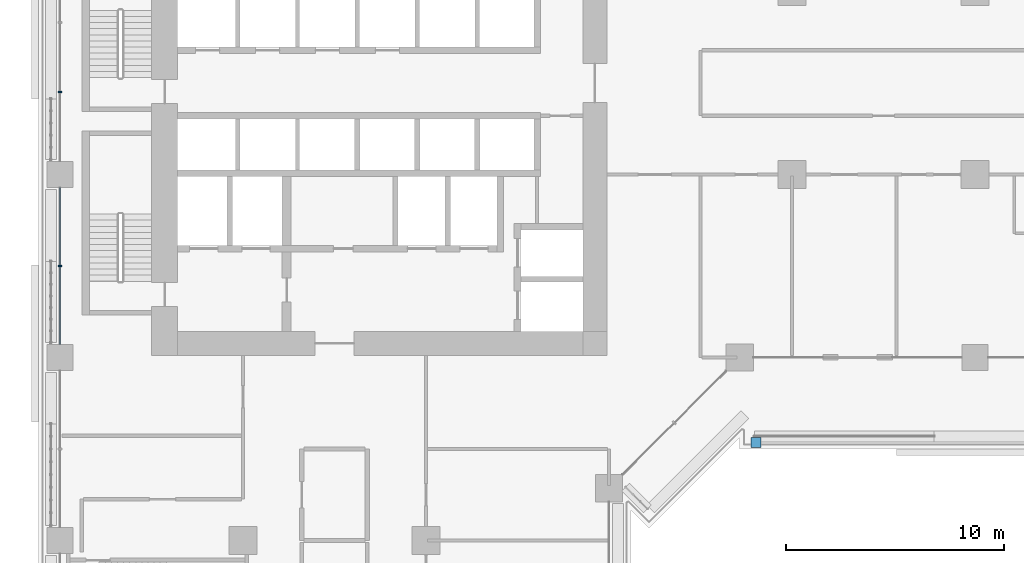
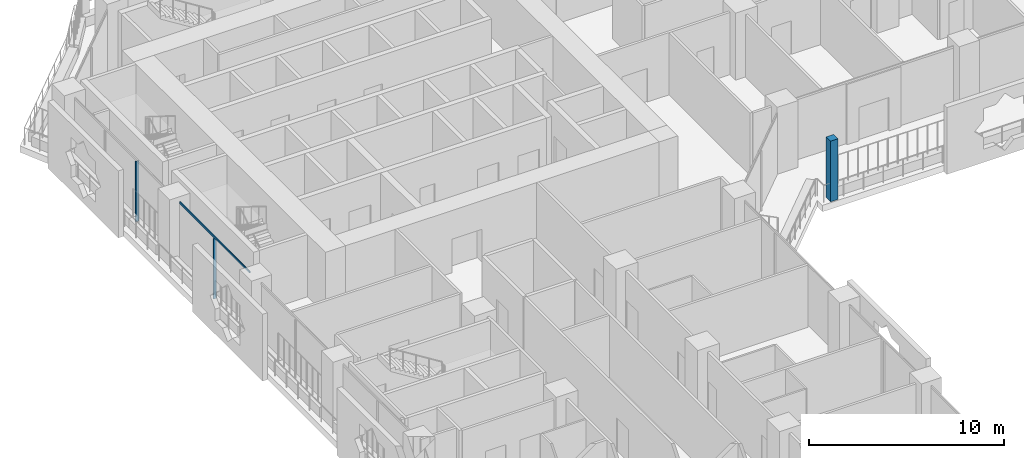
# One storey, part 5 of 28: 4 members, 2 elements without a shape of their own.
"""IFC4 building model written with IfcOpenShell, lengths in metres."""

from ifc_helpers import new_model, si_unit, direction, frame, origin, origin_2d, place, context, subcontext, project, spatial, rectangle, extrude, material, layer, layer_set, material_profile, profile_set, type_object, element, aggregate, save


model = new_model("IFC4")

# Units and contexts
model_context = context("Model", 3, precision=1e-05, world=origin(), true_north=direction((0.0, 1.0)))
body_context = subcontext(model_context, "Body", "Model", "MODEL_VIEW")
ifc_project = project(units=[si_unit("LENGTHUNIT", "METRE"), si_unit("AREAUNIT", "SQUARE_METRE"), si_unit("VOLUMEUNIT", "CUBIC_METRE"), si_unit("PLANEANGLEUNIT", "RADIAN"), si_unit("MASSUNIT", "GRAM", prefix="KILO")], contexts=[model_context])

# Site, building, storey
site_placement = place(None, origin())
site = spatial("IfcSite", under=ifc_project, at=site_placement, CompositionType="ELEMENT")
building_placement = place(site_placement, origin())
building = spatial("IfcBuilding", under=site, at=building_placement, Name="Kawkab Arch Medical Tower", CompositionType="ELEMENT")
storey_placement = place(building_placement, frame((0.0, 0.0, 81.199951171875)))
storey = spatial("IfcBuildingStorey", under=building, at=storey_placement, Name="L18", CompositionType="ELEMENT", Elevation=81.199951171875)

# Curtain wall, members
ifc_material_1 = material(Name="Bronze anodised aluminium curtain wall frame", Category="aluminium")
ifc_layer_1 = layer(ifc_material_1, 0.159912109375)
ifc_layer_set_1 = layer_set([ifc_layer_1], Name="Bronze anodised aluminium curtain wall frame")
curtain_wall_type_1 = type_object("IfcCurtainWallType", Name="CW1 ward curtain wall", PredefinedType="NOTDEFINED", material=ifc_layer_set_1)
placement = place(storey_placement, origin())
curtain_wall_1 = element("IfcCurtainWall", 1, at=placement, inside=storey, type_object=curtain_wall_type_1, Name="CW1 Ward curtain wall R01", PredefinedType="NOTDEFINED")
ifc_material_2 = material(Name="Bronze anodised aluminium curtain wall frame", Category="aluminium")
ifc_material_profile_1 = material_profile(ifc_material_2, rectangle(XDim=0.179931640625, YDim=0.06005859375, at=origin_2d()), Name="AL 60x180")
ifc_profile_set_1 = profile_set([ifc_material_profile_1], Name="Bronze anodised aluminium curtain wall frame")
member_type_1 = type_object("IfcMemberType", Name="CW1 mullion 60 x 180", PredefinedType="MULLION", material=ifc_profile_set_1)
member_1_placement = place(storey_placement, frame((0.0, -13.00830078125, 0.0), z_axis=(0.0, 0.0, 1.0), x_axis=(1.0, 0.0, 0.0)))
member_1 = element("IfcMember", 2, at=member_1_placement, type_object=member_type_1, Name="CW1 mullion 1.2", PredefinedType="MULLION", context=body_context, shape_type="SweptSolid", body=[
    extrude(rectangle(XDim=0.179931640625, YDim=0.06005859375, at=origin_2d()), origin(), (0.0, 0.0, 1.0), 3.780029296875),
])
member_2_placement = place(storey_placement, frame((0.0, -21.0, 0.0), z_axis=(0.0, 0.0, 1.0), x_axis=(1.0, 0.0, 0.0)))
member_2 = element("IfcMember", 3, at=member_2_placement, type_object=member_type_1, Name="CW1 mullion 2.1", PredefinedType="MULLION", context=body_context, shape_type="SweptSolid", body=[
    extrude(rectangle(XDim=0.179931640625, YDim=0.06005859375, at=origin_2d()), origin(), (0.0, 0.0, 1.0), 3.780029296875),
])
ifc_material_3 = material(Name="Bronze anodised aluminium curtain wall frame", Category="aluminium")
ifc_material_profile_2 = material_profile(ifc_material_3, rectangle(XDim=0.06005859375, YDim=0.1201171875, at=origin_2d()), Name="AL 60x120")
ifc_profile_set_2 = profile_set([ifc_material_profile_2], Name="Bronze anodised aluminium curtain wall frame")
member_type_2 = type_object("IfcMemberType", Name="CW1 transom 120 x 60", PredefinedType="USERDEFINED", material=ifc_profile_set_2)
member_3_placement = place(storey_placement, frame((0.0, -17.39990234375, 3.840087890625), z_axis=(0.0, -1.0, 0.0), x_axis=(1.0, 0.0, 0.0)))
member_3 = element("IfcMember", 4, at=member_3_placement, type_object=member_type_2, Name="CW1 transom 2", ObjectType="TRANSOM", PredefinedType="USERDEFINED", context=body_context, shape_type="SweptSolid", body=[
    extrude(rectangle(XDim=0.06005859375, YDim=0.1201171875, at=origin_2d()), origin(), (0.0, 0.0, 1.0), 7.2001953125),
])
aggregate(curtain_wall_1, [member_1, member_3, member_2])

# Curtain wall, member
ifc_material_4 = material(Name="Bronze anodised aluminium climber frame, planted", Category="aluminium")
ifc_layer_2 = layer(ifc_material_4, 0.449951171875)
ifc_layer_set_2 = layer_set([ifc_layer_2], Name="Bronze anodised aluminium climber frame, planted")
curtain_wall_type_2 = type_object("IfcCurtainWallType", Name="Planted climber frame", PredefinedType="NOTDEFINED", material=ifc_layer_set_2)
curtain_wall_2 = element("IfcCurtainWall", 5, at=placement, inside=storey, type_object=curtain_wall_type_2, Name="Planted climber frame L18", PredefinedType="NOTDEFINED")
ifc_material_5 = material(Name="Bronze anodised aluminium climber frame, planted", Category="aluminium")
ifc_material_profile_3 = material_profile(ifc_material_5, rectangle(XDim=0.449951171875, YDim=0.449951171875, at=origin_2d()), Name="Post 450x450")
ifc_profile_set_3 = profile_set([ifc_material_profile_3], Name="Bronze anodised aluminium climber frame, planted")
member_type_3 = type_object("IfcMemberType", Name="Planted climber post 450 x 450", PredefinedType="MULLION", material=ifc_profile_set_3)
member_4_placement = place(storey_placement, frame((31.949951171875, -29.10009765625, 0.0), z_axis=(0.0, 0.0, 1.0), x_axis=(1.0, 0.0, 0.0)))
member_4 = element("IfcMember", 6, at=member_4_placement, type_object=member_type_3, Name="Planted climber post L18.LOG-01-01.6", PredefinedType="MULLION", context=body_context, shape_type="SweptSolid", body=[
    extrude(rectangle(XDim=0.449951171875, YDim=0.449951171875, at=origin_2d()), origin(), (0.0, 0.0, 1.0), 3.800048828125),
])
aggregate(curtain_wall_2, [member_4])

save(model, "model.ifc")
